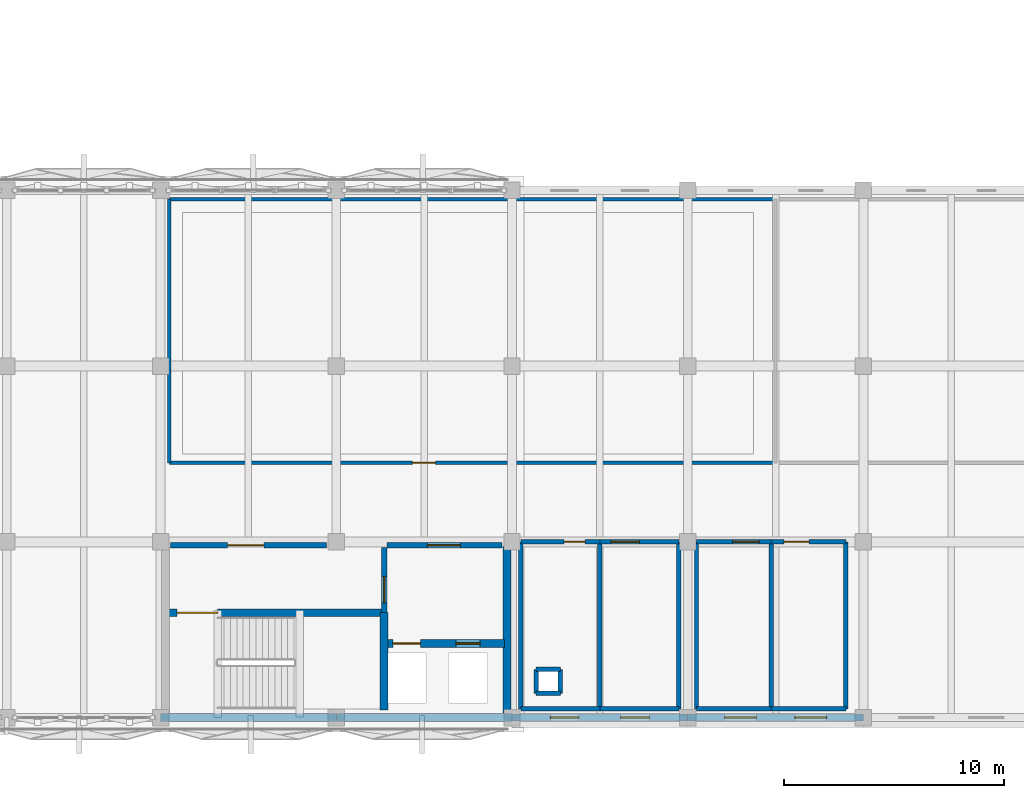
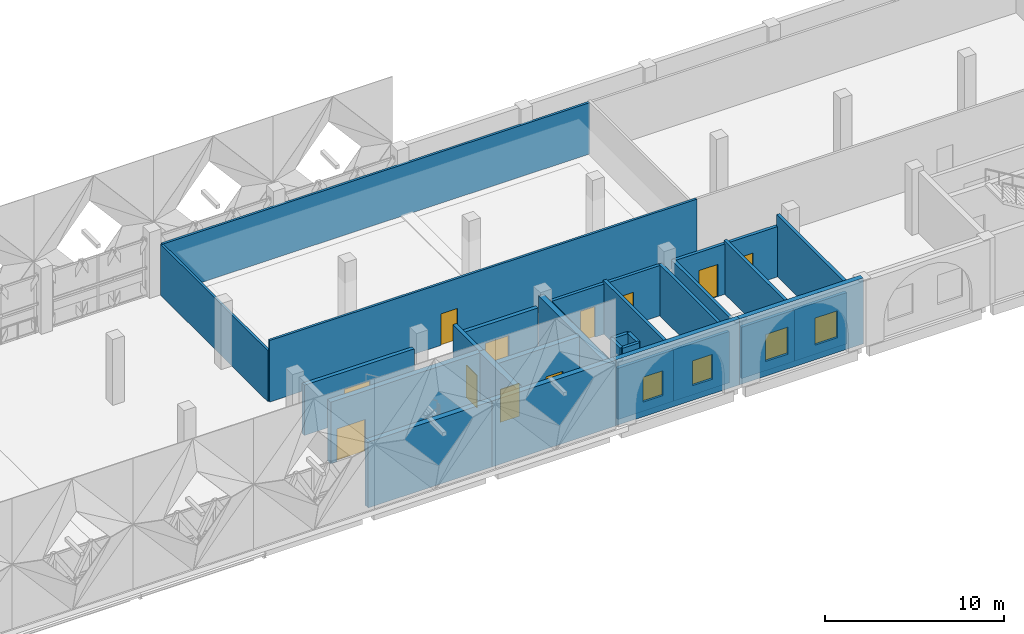
# One storey, part 30 of 53: 32 walls, 11 doors, 4 windows, 15 openings.
"""IFC4 building model written with IfcOpenShell, lengths in metres."""

from ifc_helpers import new_model, si_unit, direction, frame, frame_2d, origin, place, context, subcontext, project, spatial, rectangle, extrude, material, layer, layer_set, type_object, element, fill, save


model = new_model("IFC4")

# Units and contexts
model_context = context("Model", 3, precision=1e-05, world=origin(), true_north=direction((0.0, 1.0)))
body_context = subcontext(model_context, "Body", "Model", "MODEL_VIEW")
ifc_project = project(units=[si_unit("LENGTHUNIT", "METRE"), si_unit("AREAUNIT", "SQUARE_METRE"), si_unit("VOLUMEUNIT", "CUBIC_METRE"), si_unit("PLANEANGLEUNIT", "RADIAN"), si_unit("MASSUNIT", "GRAM", prefix="KILO")], contexts=[model_context])

# Site, building, storey
site_placement = place(None, origin())
site = spatial("IfcSite", under=ifc_project, at=site_placement, CompositionType="ELEMENT")
building_placement = place(site_placement, origin())
building = spatial("IfcBuilding", under=site, at=building_placement, Name="Qorikala Patio Media Centre", CompositionType="ELEMENT")
storey_placement = place(building_placement, frame((0.0, 0.0, 5.39990234375)))
storey = spatial("IfcBuildingStorey", under=building, at=storey_placement, Name="L01", CompositionType="ELEMENT", Elevation=5.39990234375)

# Walls
ifc_material_1 = material(Name="Concrete C35/45", Category="concrete")
ifc_layer_1 = layer(ifc_material_1, 0.35009765625)
ifc_layer_set_1 = layer_set([ifc_layer_1], Name="Concrete C35/45")
wall_type_1 = type_object("IfcWallType", Name="WL-CORE-350", PredefinedType="SHEAR", material=ifc_layer_set_1)
for number, where, z_axis, x_axis, name in (
    (1, (98.0, 3.0, 0.0), (0.0, 0.0, 1.0), (-1.0, 0.0, 0.0), "L01 Core C4 Exterior Shear Wall"),
    (2, (90.0, 3.0, 0.0), (0.0, 0.0, 1.0), (-1.0, 0.0, 0.0), "L01 Core C4 Exterior Shear Wall"),
):
    element("IfcWall", number, at=place(storey_placement, frame(where, z_axis=z_axis, x_axis=x_axis)), inside=storey, type_object=wall_type_1, Name=name, PredefinedType="SHEAR", context=body_context, shape_type="SweptSolid", body=[
        extrude(rectangle(XDim=8.0, YDim=0.35009765625, at=frame_2d((4.0, 0.0))), origin(), (0.0, 0.0, 1.0), 4.5),
    ])
wall_1_placement = place(storey_placement, frame((92.175048828125, 3.35009765625, 0.0), z_axis=(0.0, 0.0, 1.0), x_axis=(0.0, 1.0, 0.0)))
element("IfcWall", 3, at=wall_1_placement, inside=storey, type_object=wall_type_1, Name="L01 Interior Wall CW-L01-C4-SE", PredefinedType="SHEAR", context=body_context, shape_type="SweptSolid", body=[
    extrude(rectangle(XDim=4.4248046875, YDim=0.35009765625, at=frame_2d((2.21240234375, 0.0))), origin(), (0.0, 0.0, 1.0), 4.2001953125),
])
wall_2_placement = place(storey_placement, frame((97.77490234375, 3.199951171875, 0.0), z_axis=(0.0, 0.0, 1.0), x_axis=(0.0, 1.0, 0.0)))
element("IfcWall", 4, at=wall_2_placement, inside=storey, type_object=wall_type_1, Name="L01 Interior Wall CW-L01-C4-EE", PredefinedType="SHEAR", context=body_context, shape_type="SweptSolid", body=[
    extrude(rectangle(XDim=7.60009765625, YDim=0.35009765625, at=frame_2d((3.800048828125, 0.0))), origin(), (0.0, 0.0, 1.0), 4.2001953125),
])

# Wall, opening, door
wall_3_placement = place(storey_placement, frame((82.35009765625, 7.77490234375, 0.0), z_axis=(0.0, 0.0, 1.0), x_axis=(1.0, 0.0, 0.0)))
wall_3 = element("IfcWall", 5, at=wall_3_placement, inside=storey, type_object=wall_type_1, Name="L01 Interior Wall CW-L01-C4-SN", PredefinedType="SHEAR", context=body_context, shape_type="SweptSolid", body=[
    extrude(rectangle(XDim=9.824951171875, YDim=0.35009765625, at=frame_2d((4.91259765625, 0.0))), origin(), (0.0, 0.0, 1.0), 4.2001953125),
])
opening_1_placement = place(wall_3_placement, frame((0.39990234375, 0.0, 0.0)))
opening_1 = element("IfcOpeningElement", 6, at=opening_1_placement, cuts=wall_3, Name="Opening D127", PredefinedType="OPENING", context=body_context, shape_type="SweptSolid", body=[
    extrude(rectangle(XDim=1.85009765625, YDim=2.25, at=frame_2d((0.925048828125, 1.125))), frame((0.0, 0.18505859375, 0.0), z_axis=(0.0, -1.0, 0.0), x_axis=(1.0, 0.0, 0.0)), (0.0, 0.0, 1.0), 0.3701171875),
])
ifc_material_2 = material(Name="Powder-Coated Acoustic Fire Steel", Category="steel")
door_type_1 = type_object("IfcDoorType", Name="DR-FD60-185X225", OperationType="DOUBLE_DOOR_SINGLE_SWING", PredefinedType="DOOR", material=ifc_material_2)
door_1_placement = place(opening_1_placement, origin())
door_1 = element("IfcDoor", 7, at=door_1_placement, inside=storey, type_object=door_type_1, Name="L01 Stair ST-4 Fire Door", OperationType="DOUBLE_DOOR_SINGLE_SWING", OverallHeight=2.25, OverallWidth=1.85009765625, PredefinedType="DOOR", context=body_context, shape_type="SweptSolid", body=[
    extrude(rectangle(XDim=1.85009765625, YDim=2.25, at=frame_2d((0.925048828125, 1.125))), frame((0.0, 0.02490234375, 0.0), z_axis=(0.0, -1.0, 0.0), x_axis=(1.0, 0.0, 0.0)), (0.0, 0.0, 1.0), 0.050048828125),
])
fill(opening_1, door_1)

# Wall, openings, doors
wall_4_placement = place(storey_placement, frame((92.175048828125, 6.375, 0.0), z_axis=(0.0, 0.0, 1.0), x_axis=(1.0, 0.0, 0.0)))
wall_4 = element("IfcWall", 8, at=wall_4_placement, inside=storey, type_object=wall_type_1, Name="L01 Interior Wall CW-L01-C4-LFN", PredefinedType="SHEAR", context=body_context, shape_type="SweptSolid", body=[
    extrude(rectangle(XDim=5.474853515625, YDim=0.35009765625, at=frame_2d((2.7373046875, 0.0))), origin(), (0.0, 0.0, 1.0), 4.2001953125),
])
opening_2_placement = place(wall_4_placement, frame((0.39990234375, 0.0, 0.0)))
opening_2 = element("IfcOpeningElement", 9, at=opening_2_placement, cuts=wall_4, Name="Opening LD33", PredefinedType="OPENING", context=body_context, shape_type="SweptSolid", body=[
    extrude(rectangle(XDim=1.25, YDim=2.25, at=frame_2d((0.625, 1.125))), frame((0.0, 0.18505859375, 0.0), z_axis=(0.0, -1.0, 0.0), x_axis=(1.0, 0.0, 0.0)), (0.0, 0.0, 1.0), 0.3701171875),
])
opening_3_placement = place(wall_4_placement, frame((3.27490234375, 0.0, 0.0)))
opening_3 = element("IfcOpeningElement", 10, at=opening_3_placement, cuts=wall_4, Name="Opening LD34", PredefinedType="OPENING", context=body_context, shape_type="SweptSolid", body=[
    extrude(rectangle(XDim=1.10009765625, YDim=2.199951171875, at=frame_2d((0.550048828125, 1.10009765625))), frame((0.0, 0.18505859375, 0.0), z_axis=(0.0, -1.0, 0.0), x_axis=(1.0, 0.0, 0.0)), (0.0, 0.0, 1.0), 0.3701171875),
])
ifc_material_3 = material(Name="Brushed Bronze Stainless Steel", Category="steel")
door_type_2 = type_object("IfcDoorType", Name="DR-LD-110X220", OperationType="DOUBLE_DOOR_SLIDING", PredefinedType="DOOR", material=ifc_material_3)
door_2_placement = place(opening_3_placement, origin())
door_2 = element("IfcDoor", 11, at=door_2_placement, inside=storey, type_object=door_type_2, Name="L01 Lift LP-02 Sliding Landing Door", OperationType="DOUBLE_DOOR_SLIDING", OverallHeight=2.199951171875, OverallWidth=1.10009765625, PredefinedType="DOOR", context=body_context, shape_type="SweptSolid", body=[
    extrude(rectangle(XDim=1.10009765625, YDim=2.199951171875, at=frame_2d((0.550048828125, 1.10009765625))), frame((0.0, 0.02490234375, 0.0), z_axis=(0.0, -1.0, 0.0), x_axis=(1.0, 0.0, 0.0)), (0.0, 0.0, 1.0), 0.050048828125),
])
fill(opening_3, door_2)
door_type_3 = type_object("IfcDoorType", Name="DR-LD-125X225", OperationType="DOUBLE_DOOR_SLIDING", PredefinedType="DOOR", material=ifc_material_3)
door_3_placement = place(opening_2_placement, origin())
door_3 = element("IfcDoor", 12, at=door_3_placement, inside=storey, type_object=door_type_3, Name="L01 Lift LP-01 Sliding Landing Door", OperationType="DOUBLE_DOOR_SLIDING", OverallHeight=2.25, OverallWidth=1.25, PredefinedType="DOOR", context=body_context, shape_type="SweptSolid", body=[
    extrude(rectangle(XDim=1.25, YDim=2.25, at=frame_2d((0.625, 1.125))), frame((0.0, 0.02490234375, 0.0), z_axis=(0.0, -1.0, 0.0), x_axis=(1.0, 0.0, 0.0)), (0.0, 0.0, 1.0), 0.050048828125),
])
fill(opening_2, door_3)

# Wall, openings, windows
ifc_material_4 = material(Name="Ivory Lime Stucco and Concrete C35/45", Category="concrete")
ifc_layer_2 = layer(ifc_material_4, 0.320068359375)
ifc_layer_set_2 = layer_set([ifc_layer_2], Name="Ivory Lime Stucco and Concrete C35/45")
wall_type_2 = type_object("IfcWallType", Name="WL-EXT-320", PredefinedType="SOLIDWALL", material=ifc_layer_set_2)
wall_5_placement = place(storey_placement, frame((114.0, 3.0, 0.0), z_axis=(0.0, 0.0, 1.0), x_axis=(-1.0, 0.0, 0.0)))
wall_5 = element("IfcWall", 13, at=wall_5_placement, inside=storey, type_object=wall_type_2, Name="L01 Exterior Wall WL-L01-EXT-0066", PredefinedType="SOLIDWALL", context=body_context, shape_type="SweptSolid", body=[
    extrude(rectangle(XDim=8.0, YDim=0.320068359375, at=frame_2d((4.0, 0.0))), origin(), (0.0, 0.0, 1.0), 4.5),
])
opening_4_placement = place(wall_5_placement, frame((1.675048828125, 0.0, 1.0)))
opening_4 = element("IfcOpeningElement", 14, at=opening_4_placement, cuts=wall_5, Name="Opening WE-145", PredefinedType="OPENING", context=body_context, shape_type="SweptSolid", body=[
    extrude(rectangle(XDim=1.449951171875, YDim=1.85009765625, at=frame_2d((0.72509765625, 0.925048828125))), frame((0.0, 0.169921875, 0.0), z_axis=(0.0, -1.0, 0.0), x_axis=(1.0, 0.0, 0.0)), (0.0, 0.0, 1.0), 0.340087890625),
])
opening_5_placement = place(wall_5_placement, frame((4.875, 0.0, 1.0)))
opening_5 = element("IfcOpeningElement", 15, at=opening_5_placement, cuts=wall_5, Name="Opening WE-145", PredefinedType="OPENING", context=body_context, shape_type="SweptSolid", body=[
    extrude(rectangle(XDim=1.449951171875, YDim=1.85009765625, at=frame_2d((0.72509765625, 0.925048828125))), frame((0.0, 0.169921875, 0.0), z_axis=(0.0, -1.0, 0.0), x_axis=(1.0, 0.0, 0.0)), (0.0, 0.0, 1.0), 0.340087890625),
])
ifc_material_5 = material(Name="Bronze Anodised Aluminium and Low-E Glass", Category="aluminium")
window_type_1 = type_object("IfcWindowType", Name="WN-ED-145X185", PartitioningType="SINGLE_PANEL", PredefinedType="WINDOW", material=ifc_material_5)
window_1_placement = place(opening_4_placement, origin())
window_1 = element("IfcWindow", 16, at=window_1_placement, inside=storey, type_object=window_type_1, Name="L01 Editing Wing Casement Window 0125", OverallHeight=1.85009765625, OverallWidth=1.449951171875, PartitioningType="SINGLE_PANEL", PredefinedType="WINDOW", context=body_context, shape_type="SweptSolid", body=[
    extrude(rectangle(XDim=1.449951171875, YDim=1.85009765625, at=frame_2d((0.72509765625, 0.925048828125))), frame((0.0, 0.030029296875, 0.0), z_axis=(0.0, -1.0, 0.0), x_axis=(1.0, 0.0, 0.0)), (0.0, 0.0, 1.0), 0.06005859375),
])
fill(opening_4, window_1)
window_2_placement = place(opening_5_placement, origin())
window_2 = element("IfcWindow", 17, at=window_2_placement, inside=storey, type_object=window_type_1, Name="L01 Editing Wing Casement Window 0126", OverallHeight=1.85009765625, OverallWidth=1.449951171875, PartitioningType="SINGLE_PANEL", PredefinedType="WINDOW", context=body_context, shape_type="SweptSolid", body=[
    extrude(rectangle(XDim=1.449951171875, YDim=1.85009765625, at=frame_2d((0.72509765625, 0.925048828125))), frame((0.0, 0.030029296875, 0.0), z_axis=(0.0, -1.0, 0.0), x_axis=(1.0, 0.0, 0.0)), (0.0, 0.0, 1.0), 0.06005859375),
])
fill(opening_5, window_2)

wall_6_placement = place(storey_placement, frame((106.0, 3.0, 0.0), z_axis=(0.0, 0.0, 1.0), x_axis=(-1.0, 0.0, 0.0)))
wall_6 = element("IfcWall", 18, at=wall_6_placement, inside=storey, type_object=wall_type_2, Name="L01 Exterior Wall WL-L01-EXT-0067", PredefinedType="SOLIDWALL", context=body_context, shape_type="SweptSolid", body=[
    extrude(rectangle(XDim=8.0, YDim=0.320068359375, at=frame_2d((4.0, 0.0))), origin(), (0.0, 0.0, 1.0), 4.5),
])
opening_6_placement = place(wall_6_placement, frame((1.75, 0.0, 1.0)))
opening_6 = element("IfcOpeningElement", 19, at=opening_6_placement, cuts=wall_6, Name="Opening WE-130", PredefinedType="OPENING", context=body_context, shape_type="SweptSolid", body=[
    extrude(rectangle(XDim=1.300048828125, YDim=1.699951171875, at=frame_2d((0.64990234375, 0.85009765625))), frame((0.0, 0.169921875, 0.0), z_axis=(0.0, -1.0, 0.0), x_axis=(1.0, 0.0, 0.0)), (0.0, 0.0, 1.0), 0.340087890625),
])
opening_7_placement = place(wall_6_placement, frame((4.949951171875, 0.0, 1.0)))
opening_7 = element("IfcOpeningElement", 20, at=opening_7_placement, cuts=wall_6, Name="Opening WE-130", PredefinedType="OPENING", context=body_context, shape_type="SweptSolid", body=[
    extrude(rectangle(XDim=1.300048828125, YDim=1.699951171875, at=frame_2d((0.64990234375, 0.85009765625))), frame((0.0, 0.169921875, 0.0), z_axis=(0.0, -1.0, 0.0), x_axis=(1.0, 0.0, 0.0)), (0.0, 0.0, 1.0), 0.340087890625),
])
window_type_2 = type_object("IfcWindowType", Name="WN-ED-130X170", PartitioningType="SINGLE_PANEL", PredefinedType="WINDOW", material=ifc_material_5)
window_3_placement = place(opening_6_placement, origin())
window_3 = element("IfcWindow", 21, at=window_3_placement, inside=storey, type_object=window_type_2, Name="L01 Editing Wing Casement Window 0127", OverallHeight=1.699951171875, OverallWidth=1.300048828125, PartitioningType="SINGLE_PANEL", PredefinedType="WINDOW", context=body_context, shape_type="SweptSolid", body=[
    extrude(rectangle(XDim=1.300048828125, YDim=1.699951171875, at=frame_2d((0.64990234375, 0.85009765625))), frame((0.0, 0.030029296875, 0.0), z_axis=(0.0, -1.0, 0.0), x_axis=(1.0, 0.0, 0.0)), (0.0, 0.0, 1.0), 0.06005859375),
])
fill(opening_6, window_3)
window_4_placement = place(opening_7_placement, origin())
window_4 = element("IfcWindow", 22, at=window_4_placement, inside=storey, type_object=window_type_2, Name="L01 Editing Wing Casement Window 0128", OverallHeight=1.699951171875, OverallWidth=1.300048828125, PartitioningType="SINGLE_PANEL", PredefinedType="WINDOW", context=body_context, shape_type="SweptSolid", body=[
    extrude(rectangle(XDim=1.300048828125, YDim=1.699951171875, at=frame_2d((0.64990234375, 0.85009765625))), frame((0.0, 0.030029296875, 0.0), z_axis=(0.0, -1.0, 0.0), x_axis=(1.0, 0.0, 0.0)), (0.0, 0.0, 1.0), 0.06005859375),
])
fill(opening_7, window_4)

# Wall, opening, door
ifc_layer_3 = layer(ifc_material_1, 0.25)
ifc_layer_set_3 = layer_set([ifc_layer_3], Name="Concrete C35/45")
wall_type_3 = type_object("IfcWallType", Name="WL-FFL-250", PredefinedType="PARTITIONING", material=ifc_layer_set_3)
wall_7_placement = place(storey_placement, frame((92.175048828125, 7.77490234375, 0.0), z_axis=(0.0, 0.0, 1.0), x_axis=(0.0, 1.0, 0.0)))
wall_7 = element("IfcWall", 23, at=wall_7_placement, inside=storey, type_object=wall_type_3, Name="L01 Interior Wall CW-L01-C4-LBD", PredefinedType="PARTITIONING", context=body_context, shape_type="SweptSolid", body=[
    extrude(rectangle(XDim=2.97509765625, YDim=0.25, at=frame_2d((1.487548828125, 0.0))), origin(), (0.0, 0.0, 1.0), 4.2001953125),
])
opening_8_placement = place(wall_7_placement, frame((0.449951171875, 0.0, 0.0)))
opening_8 = element("IfcOpeningElement", 24, at=opening_8_placement, cuts=wall_7, Name="Opening D128", PredefinedType="OPENING", context=body_context, shape_type="SweptSolid", body=[
    extrude(rectangle(XDim=1.199951171875, YDim=2.199951171875, at=frame_2d((0.60009765625, 1.10009765625))), frame((0.0, 0.135009765625, 0.0), z_axis=(0.0, -1.0, 0.0), x_axis=(1.0, 0.0, 0.0)), (0.0, 0.0, 1.0), 0.27001953125),
])
ifc_material_6 = material(Name="Acoustic Fire Timber and Steel", Category="steel")
door_type_4 = type_object("IfcDoorType", Name="DR-FD60-120X220", OperationType="NOTDEFINED", PredefinedType="DOOR", material=ifc_material_6)
door_4_placement = place(opening_8_placement, origin())
door_4 = element("IfcDoor", 25, at=door_4_placement, inside=storey, type_object=door_type_4, Name="L01 Core C4 Firefighting Lobby Cross Door", OperationType="SINGLE_SWING_LEFT", OverallHeight=2.199951171875, OverallWidth=1.199951171875, PredefinedType="DOOR", context=body_context, shape_type="SweptSolid", body=[
    extrude(rectangle(XDim=1.199951171875, YDim=2.199951171875, at=frame_2d((0.60009765625, 1.10009765625))), frame((0.0, 0.02490234375, 0.0), z_axis=(0.0, -1.0, 0.0), x_axis=(1.0, 0.0, 0.0)), (0.0, 0.0, 1.0), 0.050048828125),
])
fill(opening_8, door_4)

wall_8_placement = place(storey_placement, frame((82.449951171875, 10.85009765625, 0.0), z_axis=(0.0, 0.0, 1.0), x_axis=(1.0, 0.0, 0.0)))
wall_8 = element("IfcWall", 26, at=wall_8_placement, inside=storey, type_object=wall_type_3, Name="L01 Interior Wall CW-L01-C4-CN1", PredefinedType="PARTITIONING", context=body_context, shape_type="SweptSolid", body=[
    extrude(rectangle(XDim=7.10009765625, YDim=0.25, at=frame_2d((3.550048828125, 0.0))), origin(), (0.0, 0.0, 1.0), 3.43505859375),
])
opening_9_placement = place(wall_8_placement, frame((2.60009765625, 0.0, 0.0)))
opening_9 = element("IfcOpeningElement", 27, at=opening_9_placement, cuts=wall_8, Name="Opening D129", PredefinedType="OPENING", context=body_context, shape_type="SweptSolid", body=[
    extrude(rectangle(XDim=1.64990234375, YDim=2.25, at=frame_2d((0.824951171875, 1.125))), frame((0.0, 0.135009765625, 0.0), z_axis=(0.0, -1.0, 0.0), x_axis=(1.0, 0.0, 0.0)), (0.0, 0.0, 1.0), 0.27001953125),
])
door_type_5 = type_object("IfcDoorType", Name="DR-FD60-165X225", OperationType="DOUBLE_DOOR_SINGLE_SWING", PredefinedType="DOOR", material=ifc_material_2)
door_5_placement = place(opening_9_placement, frame((1.64990234375, 0.0, 0.0), z_axis=(0.0, 0.0, 1.0), x_axis=(-1.0, 0.0, 0.0)))
door_5 = element("IfcDoor", 28, at=door_5_placement, inside=storey, type_object=door_type_5, Name="L01 Core C4 Vestibule Door", OperationType="DOUBLE_DOOR_SINGLE_SWING", OverallHeight=2.25, OverallWidth=1.64990234375, PredefinedType="DOOR", context=body_context, shape_type="SweptSolid", body=[
    extrude(rectangle(XDim=1.64990234375, YDim=2.25, at=frame_2d((0.824951171875, 1.125))), frame((0.0, 0.02490234375, 0.0), z_axis=(0.0, -1.0, 0.0), x_axis=(1.0, 0.0, 0.0)), (0.0, 0.0, 1.0), 0.050048828125),
])
fill(opening_9, door_5)

wall_9_placement = place(storey_placement, frame((92.300048828125, 10.85009765625, 0.0), z_axis=(0.0, 0.0, 1.0), x_axis=(1.0, 0.0, 0.0)))
wall_9 = element("IfcWall", 29, at=wall_9_placement, inside=storey, type_object=wall_type_3, Name="L01 Interior Wall CW-L01-C4-CN2", PredefinedType="PARTITIONING", context=body_context, shape_type="SweptSolid", body=[
    extrude(rectangle(XDim=5.25, YDim=0.25, at=frame_2d((2.625, 0.0))), origin(), (0.0, 0.0, 1.0), 3.43505859375),
])
opening_10_placement = place(wall_9_placement, frame((1.85009765625, 0.0, 0.0)))
opening_10 = element("IfcOpeningElement", 30, at=opening_10_placement, cuts=wall_9, Name="Opening D130", PredefinedType="OPENING", context=body_context, shape_type="SweptSolid", body=[
    extrude(rectangle(XDim=1.5, YDim=2.199951171875, at=frame_2d((0.75, 1.10009765625))), frame((0.0, 0.135009765625, 0.0), z_axis=(0.0, -1.0, 0.0), x_axis=(1.0, 0.0, 0.0)), (0.0, 0.0, 1.0), 0.27001953125),
])
door_type_6 = type_object("IfcDoorType", Name="DR-FD60-150X220", OperationType="DOUBLE_DOOR_SINGLE_SWING", PredefinedType="DOOR", material=ifc_material_2)
door_6_placement = place(opening_10_placement, origin())
door_6 = element("IfcDoor", 31, at=door_6_placement, inside=storey, type_object=door_type_6, Name="L01 Core C4 Firefighting Lobby Door", OperationType="DOUBLE_DOOR_SINGLE_SWING", OverallHeight=2.199951171875, OverallWidth=1.5, PredefinedType="DOOR", context=body_context, shape_type="SweptSolid", body=[
    extrude(rectangle(XDim=1.5, YDim=2.199951171875, at=frame_2d((0.75, 1.10009765625))), frame((0.0, 0.02490234375, 0.0), z_axis=(0.0, -1.0, 0.0), x_axis=(1.0, 0.0, 0.0)), (0.0, 0.0, 1.0), 0.050048828125),
])
fill(opening_10, door_6)

ifc_material_7 = material(Name="Acoustic Gypsum Stud Partition")
ifc_layer_4 = layer(ifc_material_7, 0.14990234375)
ifc_layer_set_4 = layer_set([ifc_layer_4], Name="Acoustic Gypsum Stud Partition")
wall_type_4 = type_object("IfcWallType", Name="WL-PT-150", PredefinedType="PARTITIONING", material=ifc_layer_set_4)
wall_10_placement = place(storey_placement, frame((82.39990234375, 14.60009765625, 0.0), z_axis=(0.0, 0.0, 1.0), x_axis=(1.0, 0.0, 0.0)))
wall_10 = element("IfcWall", 32, at=wall_10_placement, inside=storey, type_object=wall_type_4, Name="L01 Interior Wall WINT-L01-ED11-S", PredefinedType="PARTITIONING", context=body_context, shape_type="SweptSolid", body=[
    extrude(rectangle(XDim=27.60009765625, YDim=0.14990234375, at=frame_2d((13.800048828125, 0.0))), origin(), (0.0, 0.0, 1.0), 4.2001953125),
])
opening_11_placement = place(wall_10_placement, frame((11.06591796875, 0.0, 0.0)))
opening_11 = element("IfcOpeningElement", 33, at=opening_11_placement, cuts=wall_10, Name="Opening D257", PredefinedType="OPENING", context=body_context, shape_type="SweptSolid", body=[
    extrude(rectangle(XDim=1.050048828125, YDim=2.14990234375, at=frame_2d((0.52490234375, 1.074951171875))), frame((0.0, 0.0849609375, 0.0), z_axis=(0.0, -1.0, 0.0), x_axis=(1.0, 0.0, 0.0)), (0.0, 0.0, 1.0), 0.169921875),
])
ifc_material_8 = material(Name="Solid Oak Timber", Category="wood")
door_type_7 = type_object("IfcDoorType", Name="DR-IN-105X215", OperationType="NOTDEFINED", PredefinedType="DOOR", material=ifc_material_8)
door_7_placement = place(opening_11_placement, origin())
door_7 = element("IfcDoor", 34, at=door_7_placement, inside=storey, type_object=door_type_7, Name="Editing Suite 101 Door 046", OperationType="SINGLE_SWING_RIGHT", OverallHeight=2.14990234375, OverallWidth=1.050048828125, PredefinedType="DOOR", context=body_context, shape_type="SweptSolid", body=[
    extrude(rectangle(XDim=1.050048828125, YDim=2.14990234375, at=frame_2d((0.52490234375, 1.074951171875))), frame((0.0, 0.02490234375, 0.0), z_axis=(0.0, -1.0, 0.0), x_axis=(1.0, 0.0, 0.0)), (0.0, 0.0, 1.0), 0.050048828125),
])
fill(opening_11, door_7)

# Walls
wall_11_placement = place(storey_placement, frame((82.39990234375, 26.60009765625, 0.0), z_axis=(0.0, 0.0, 1.0), x_axis=(1.0, 0.0, 0.0)))
element("IfcWall", 35, at=wall_11_placement, inside=storey, type_object=wall_type_4, Name="L01 Interior Wall WINT-L01-ED11-N", PredefinedType="PARTITIONING", context=body_context, shape_type="SweptSolid", body=[
    extrude(rectangle(XDim=27.60009765625, YDim=0.14990234375, at=frame_2d((13.800048828125, 0.0))), origin(), (0.0, 0.0, 1.0), 3.505126953125),
])
wall_12_placement = place(storey_placement, frame((82.39990234375, 14.60009765625, 0.0), z_axis=(0.0, 0.0, 1.0), x_axis=(0.0, 1.0, 0.0)))
element("IfcWall", 36, at=wall_12_placement, inside=storey, type_object=wall_type_4, Name="L01 Interior Wall WINT-L01-ED11-W", PredefinedType="PARTITIONING", context=body_context, shape_type="SweptSolid", body=[
    extrude(rectangle(XDim=12.0, YDim=0.14990234375, at=frame_2d((6.0, 0.0))), origin(), (0.0, 0.0, 1.0), 3.485107421875),
])
ifc_material_9 = material(Name="Acoustic Masonry and Plaster Concrete C30/37", Category="masonry")
ifc_layer_5 = layer(ifc_material_9, 0.199951171875)
ifc_layer_set_5 = layer_set([ifc_layer_5], Name="Acoustic Masonry and Plaster Concrete C30/37")
wall_type_5 = type_object("IfcWallType", Name="WL-ST-200", PredefinedType="PARTITIONING", material=ifc_layer_set_5)
wall_13_placement = place(storey_placement, frame((98.39990234375, 3.39990234375, 0.0), z_axis=(0.0, 0.0, 1.0), x_axis=(1.0, 0.0, 0.0)))
element("IfcWall", 37, at=wall_13_placement, inside=storey, type_object=wall_type_5, Name="L01 Interior Wall WINT-L01-L1WMWC-S", PredefinedType="PARTITIONING", context=body_context, shape_type="SweptSolid", body=[
    extrude(rectangle(XDim=3.60009765625, YDim=0.199951171875, at=frame_2d((1.800048828125, 0.0))), origin(), (0.0, 0.0, 1.0), 3.505126953125),
])
wall_14_placement = place(storey_placement, frame((102.0, 3.39990234375, 0.0), z_axis=(0.0, 0.0, 1.0), x_axis=(0.0, 1.0, 0.0)))
element("IfcWall", 38, at=wall_14_placement, inside=storey, type_object=wall_type_5, Name="L01 Interior Wall WINT-L01-L1WMWC-E", PredefinedType="PARTITIONING", context=body_context, shape_type="SweptSolid", body=[
    extrude(rectangle(XDim=7.60009765625, YDim=0.199951171875, at=frame_2d((3.800048828125, 0.0))), origin(), (0.0, 0.0, 1.0), 3.635009765625),
])

# Wall, opening, door
wall_15_placement = place(storey_placement, frame((98.39990234375, 11.0, 0.0), z_axis=(0.0, 0.0, 1.0), x_axis=(1.0, 0.0, 0.0)))
wall_15 = element("IfcWall", 39, at=wall_15_placement, inside=storey, type_object=wall_type_5, Name="L01 Interior Wall WINT-L01-L1WMWC-N", PredefinedType="PARTITIONING", context=body_context, shape_type="SweptSolid", body=[
    extrude(rectangle(XDim=3.60009765625, YDim=0.199951171875, at=frame_2d((1.800048828125, 0.0))), origin(), (0.0, 0.0, 1.0), 3.43505859375),
])
opening_12_placement = place(wall_15_placement, frame((1.97509765625, 0.0, 0.0)))
opening_12 = element("IfcOpeningElement", 40, at=opening_12_placement, cuts=wall_15, Name="Opening D253", PredefinedType="OPENING", context=body_context, shape_type="SweptSolid", body=[
    extrude(rectangle(XDim=0.949951171875, YDim=2.10009765625, at=frame_2d((0.47509765625, 1.050048828125))), frame((0.0, 0.10986328125, 0.0), z_axis=(0.0, -1.0, 0.0), x_axis=(1.0, 0.0, 0.0)), (0.0, 0.0, 1.0), 0.219970703125),
])
ifc_material_10 = material(Name="Acoustic Fire Timber", Category="wood")
door_type_8 = type_object("IfcDoorType", Name="DR-FD60-095X210", OperationType="NOTDEFINED", PredefinedType="DOOR", material=ifc_material_10)
door_8_placement = place(opening_12_placement, origin())
door_8 = element("IfcDoor", 41, at=door_8_placement, inside=storey, type_object=door_type_8, Name="Male Toilet Door 042", OperationType="SINGLE_SWING_RIGHT", OverallHeight=2.10009765625, OverallWidth=0.949951171875, PredefinedType="DOOR", context=body_context, shape_type="SweptSolid", body=[
    extrude(rectangle(XDim=0.949951171875, YDim=2.10009765625, at=frame_2d((0.47509765625, 1.050048828125))), frame((0.0, 0.02490234375, 0.0), z_axis=(0.0, -1.0, 0.0), x_axis=(1.0, 0.0, 0.0)), (0.0, 0.0, 1.0), 0.050048828125),
])
fill(opening_12, door_8)

# Walls
wall_16_placement = place(storey_placement, frame((98.39990234375, 3.39990234375, 0.0), z_axis=(0.0, 0.0, 1.0), x_axis=(0.0, 1.0, 0.0)))
element("IfcWall", 42, at=wall_16_placement, inside=storey, type_object=wall_type_5, Name="L01 Interior Wall WINT-L01-L1WMWC-W", PredefinedType="PARTITIONING", context=body_context, shape_type="SweptSolid", body=[
    extrude(rectangle(XDim=7.60009765625, YDim=0.199951171875, at=frame_2d((3.800048828125, 0.0))), origin(), (0.0, 0.0, 1.0), 3.485107421875),
])
wall_17_placement = place(storey_placement, frame((102.0, 3.39990234375, 0.0), z_axis=(0.0, 0.0, 1.0), x_axis=(1.0, 0.0, 0.0)))
element("IfcWall", 43, at=wall_17_placement, inside=storey, type_object=wall_type_5, Name="L01 Interior Wall WINT-L01-L1WFWC-S", PredefinedType="PARTITIONING", context=body_context, shape_type="SweptSolid", body=[
    extrude(rectangle(XDim=3.60009765625, YDim=0.199951171875, at=frame_2d((1.800048828125, 0.0))), origin(), (0.0, 0.0, 1.0), 3.505126953125),
])
wall_18_placement = place(storey_placement, frame((105.60009765625, 3.39990234375, 0.0), z_axis=(0.0, 0.0, 1.0), x_axis=(0.0, 1.0, 0.0)))
element("IfcWall", 44, at=wall_18_placement, inside=storey, type_object=wall_type_5, Name="L01 Interior Wall WINT-L01-L1WFWC-E", PredefinedType="PARTITIONING", context=body_context, shape_type="SweptSolid", body=[
    extrude(rectangle(XDim=7.60009765625, YDim=0.199951171875, at=frame_2d((3.800048828125, 0.0))), origin(), (0.0, 0.0, 1.0), 3.485107421875),
])

# Wall, opening, door
wall_19_placement = place(storey_placement, frame((102.0, 11.0, 0.0), z_axis=(0.0, 0.0, 1.0), x_axis=(1.0, 0.0, 0.0)))
wall_19 = element("IfcWall", 45, at=wall_19_placement, inside=storey, type_object=wall_type_5, Name="L01 Interior Wall WINT-L01-L1WFWC-N", PredefinedType="PARTITIONING", context=body_context, shape_type="SweptSolid", body=[
    extrude(rectangle(XDim=3.60009765625, YDim=0.199951171875, at=frame_2d((1.800048828125, 0.0))), origin(), (0.0, 0.0, 1.0), 3.43505859375),
])
opening_13_placement = place(wall_19_placement, frame((0.5, 0.0, 0.0)))
opening_13 = element("IfcOpeningElement", 46, at=opening_13_placement, cuts=wall_19, Name="Opening D254", PredefinedType="OPENING", context=body_context, shape_type="SweptSolid", body=[
    extrude(rectangle(XDim=1.300048828125, YDim=2.199951171875, at=frame_2d((0.64990234375, 1.10009765625))), frame((0.0, 0.10986328125, 0.0), z_axis=(0.0, -1.0, 0.0), x_axis=(1.0, 0.0, 0.0)), (0.0, 0.0, 1.0), 0.219970703125),
])
door_type_9 = type_object("IfcDoorType", Name="DR-FD60-130X220", OperationType="NOTDEFINED", PredefinedType="DOOR", material=ifc_material_6)
door_9_placement = place(opening_13_placement, origin())
door_9 = element("IfcDoor", 47, at=door_9_placement, inside=storey, type_object=door_type_9, Name="Female Toilet Door 043", OperationType="SINGLE_SWING_LEFT", OverallHeight=2.199951171875, OverallWidth=1.300048828125, PredefinedType="DOOR", context=body_context, shape_type="SweptSolid", body=[
    extrude(rectangle(XDim=1.300048828125, YDim=2.199951171875, at=frame_2d((0.64990234375, 1.10009765625))), frame((0.0, 0.02490234375, 0.0), z_axis=(0.0, -1.0, 0.0), x_axis=(1.0, 0.0, 0.0)), (0.0, 0.0, 1.0), 0.050048828125),
])
fill(opening_13, door_9)

# Walls
wall_20_placement = place(storey_placement, frame((106.39990234375, 3.39990234375, 0.0), z_axis=(0.0, 0.0, 1.0), x_axis=(1.0, 0.0, 0.0)))
element("IfcWall", 48, at=wall_20_placement, inside=storey, type_object=wall_type_5, Name="L01 Interior Wall WINT-L01-L1WAWC-S", PredefinedType="PARTITIONING", context=body_context, shape_type="SweptSolid", body=[
    extrude(rectangle(XDim=3.400146484375, YDim=0.199951171875, at=frame_2d((1.7001953125, 0.0))), origin(), (0.0, 0.0, 1.0), 3.505126953125),
])
wall_21_placement = place(storey_placement, frame((109.800048828125, 3.39990234375, 0.0), z_axis=(0.0, 0.0, 1.0), x_axis=(0.0, 1.0, 0.0)))
element("IfcWall", 49, at=wall_21_placement, inside=storey, type_object=wall_type_5, Name="L01 Interior Wall WINT-L01-L1WAWC-E", PredefinedType="PARTITIONING", context=body_context, shape_type="SweptSolid", body=[
    extrude(rectangle(XDim=7.60009765625, YDim=0.199951171875, at=frame_2d((3.800048828125, 0.0))), origin(), (0.0, 0.0, 1.0), 3.635009765625),
])

# Wall, opening, door
wall_22_placement = place(storey_placement, frame((106.39990234375, 11.0, 0.0), z_axis=(0.0, 0.0, 1.0), x_axis=(1.0, 0.0, 0.0)))
wall_22 = element("IfcWall", 50, at=wall_22_placement, inside=storey, type_object=wall_type_5, Name="L01 Interior Wall WINT-L01-L1WAWC-N", PredefinedType="PARTITIONING", context=body_context, shape_type="SweptSolid", body=[
    extrude(rectangle(XDim=3.400146484375, YDim=0.199951171875, at=frame_2d((1.7001953125, 0.0))), origin(), (0.0, 0.0, 1.0), 3.43505859375),
])
opening_14_placement = place(wall_22_placement, frame((1.64990234375, 0.0, 0.0)))
opening_14 = element("IfcOpeningElement", 51, at=opening_14_placement, cuts=wall_22, Name="Opening D255", PredefinedType="OPENING", context=body_context, shape_type="SweptSolid", body=[
    extrude(rectangle(XDim=1.199951171875, YDim=2.199951171875, at=frame_2d((0.60009765625, 1.10009765625))), frame((0.0, 0.10986328125, 0.0), z_axis=(0.0, -1.0, 0.0), x_axis=(1.0, 0.0, 0.0)), (0.0, 0.0, 1.0), 0.219970703125),
])
door_10_placement = place(opening_14_placement, origin())
door_10 = element("IfcDoor", 52, at=door_10_placement, inside=storey, type_object=door_type_4, Name="Accessible Toilet Door 044", OperationType="SINGLE_SWING_RIGHT", OverallHeight=2.199951171875, OverallWidth=1.199951171875, PredefinedType="DOOR", context=body_context, shape_type="SweptSolid", body=[
    extrude(rectangle(XDim=1.199951171875, YDim=2.199951171875, at=frame_2d((0.60009765625, 1.10009765625))), frame((0.0, 0.02490234375, 0.0), z_axis=(0.0, -1.0, 0.0), x_axis=(1.0, 0.0, 0.0)), (0.0, 0.0, 1.0), 0.050048828125),
])
fill(opening_14, door_10)

# Walls
wall_23_placement = place(storey_placement, frame((106.39990234375, 3.39990234375, 0.0), z_axis=(0.0, 0.0, 1.0), x_axis=(0.0, 1.0, 0.0)))
element("IfcWall", 53, at=wall_23_placement, inside=storey, type_object=wall_type_5, Name="L01 Interior Wall WINT-L01-L1WAWC-W", PredefinedType="PARTITIONING", context=body_context, shape_type="SweptSolid", body=[
    extrude(rectangle(XDim=7.60009765625, YDim=0.199951171875, at=frame_2d((3.800048828125, 0.0))), origin(), (0.0, 0.0, 1.0), 3.485107421875),
])
wall_24_placement = place(storey_placement, frame((109.800048828125, 3.39990234375, 0.0), z_axis=(0.0, 0.0, 1.0), x_axis=(1.0, 0.0, 0.0)))
element("IfcWall", 54, at=wall_24_placement, inside=storey, type_object=wall_type_5, Name="L01 Interior Wall WINT-L01-L1WSTR-S", PredefinedType="PARTITIONING", context=body_context, shape_type="SweptSolid", body=[
    extrude(rectangle(XDim=3.39990234375, YDim=0.199951171875, at=frame_2d((1.699951171875, 0.0))), origin(), (0.0, 0.0, 1.0), 3.505126953125),
])
wall_25_placement = place(storey_placement, frame((113.199951171875, 3.39990234375, 0.0), z_axis=(0.0, 0.0, 1.0), x_axis=(0.0, 1.0, 0.0)))
element("IfcWall", 55, at=wall_25_placement, inside=storey, type_object=wall_type_5, Name="L01 Interior Wall WINT-L01-L1WSTR-E", PredefinedType="PARTITIONING", context=body_context, shape_type="SweptSolid", body=[
    extrude(rectangle(XDim=7.60009765625, YDim=0.199951171875, at=frame_2d((3.800048828125, 0.0))), origin(), (0.0, 0.0, 1.0), 4.2001953125),
])

# Wall, opening, door
wall_26_placement = place(storey_placement, frame((109.800048828125, 11.0, 0.0), z_axis=(0.0, 0.0, 1.0), x_axis=(1.0, 0.0, 0.0)))
wall_26 = element("IfcWall", 56, at=wall_26_placement, inside=storey, type_object=wall_type_5, Name="L01 Interior Wall WINT-L01-L1WSTR-N", PredefinedType="PARTITIONING", context=body_context, shape_type="SweptSolid", body=[
    extrude(rectangle(XDim=3.39990234375, YDim=0.199951171875, at=frame_2d((1.699951171875, 0.0))), origin(), (0.0, 0.0, 1.0), 3.43505859375),
])
opening_15_placement = place(wall_26_placement, frame((0.574951171875, 0.0, 0.0)))
opening_15 = element("IfcOpeningElement", 57, at=opening_15_placement, cuts=wall_26, Name="Opening D256", PredefinedType="OPENING", context=body_context, shape_type="SweptSolid", body=[
    extrude(rectangle(XDim=1.14990234375, YDim=2.179931640625, at=frame_2d((0.574951171875, 1.08984375))), frame((0.0, 0.10986328125, 0.0), z_axis=(0.0, -1.0, 0.0), x_axis=(1.0, 0.0, 0.0)), (0.0, 0.0, 1.0), 0.219970703125),
])
door_type_10 = type_object("IfcDoorType", Name="DR-FD60-115X218", OperationType="NOTDEFINED", PredefinedType="DOOR", material=ifc_material_6)
door_11_placement = place(opening_15_placement, origin())
door_11 = element("IfcDoor", 58, at=door_11_placement, inside=storey, type_object=door_type_10, Name="Technical Equipment Store Door 045", OperationType="SINGLE_SWING_LEFT", OverallHeight=2.179931640625, OverallWidth=1.14990234375, PredefinedType="DOOR", context=body_context, shape_type="SweptSolid", body=[
    extrude(rectangle(XDim=1.14990234375, YDim=2.179931640625, at=frame_2d((0.574951171875, 1.08984375))), frame((0.0, 0.02490234375, 0.0), z_axis=(0.0, -1.0, 0.0), x_axis=(1.0, 0.0, 0.0)), (0.0, 0.0, 1.0), 0.050048828125),
])
fill(opening_15, door_11)

# Walls
for number, where, z_axis, x_axis, name in (
    (59, (99.10009765625, 4.10009765625, 0.0), (0.0, 0.0, 1.0), (1.0, 0.0, 0.0), "L01 Interior Wall RSW-8-L01-S"),
    (60, (99.10009765625, 5.199951171875, 0.0), (0.0, 0.0, 1.0), (1.0, 0.0, 0.0), "L01 Interior Wall RSW-8-L01-N"),
    (61, (99.10009765625, 4.10009765625, 0.0), (0.0, 0.0, 1.0), (0.0, 1.0, 0.0), "L01 Interior Wall RSW-8-L01-W"),
    (62, (100.199951171875, 4.10009765625, 0.0), (0.0, 0.0, 1.0), (0.0, 1.0, 0.0), "L01 Interior Wall RSW-8-L01-E"),
):
    element("IfcWall", number, at=place(storey_placement, frame(where, z_axis=z_axis, x_axis=x_axis)), inside=storey, type_object=wall_type_5, Name=name, PredefinedType="PARTITIONING", context=body_context, shape_type="SweptSolid", body=[
        extrude(rectangle(XDim=1.099853515625, YDim=0.199951171875, at=frame_2d((0.5498046875, 0.0))), origin(), (0.0, 0.0, 1.0), 4.2001953125),
    ])

save(model, "model.ifc")
